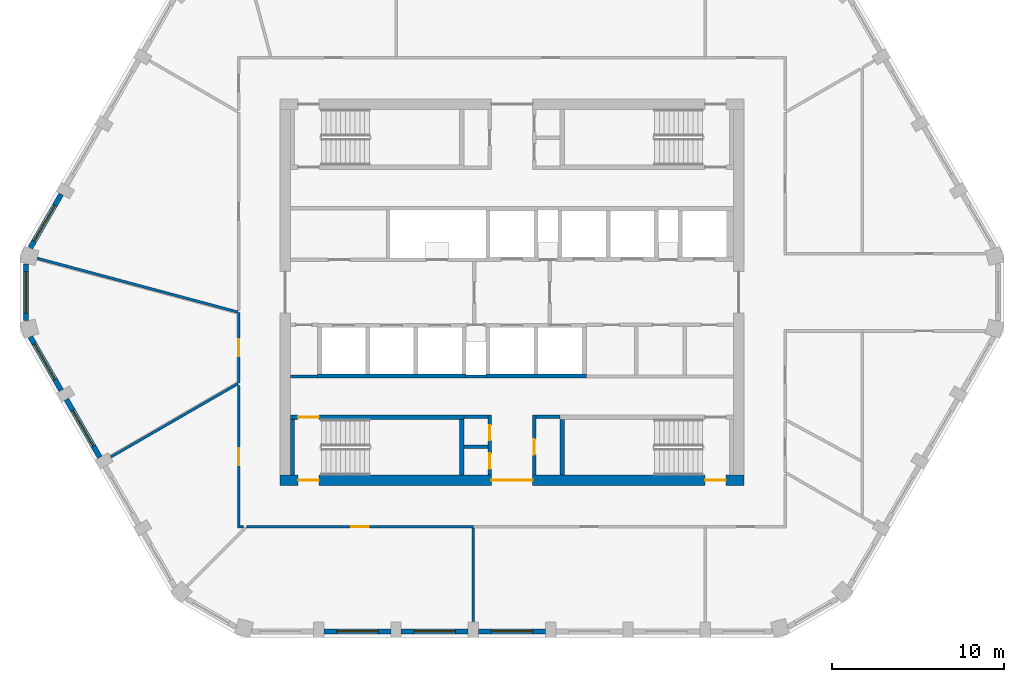
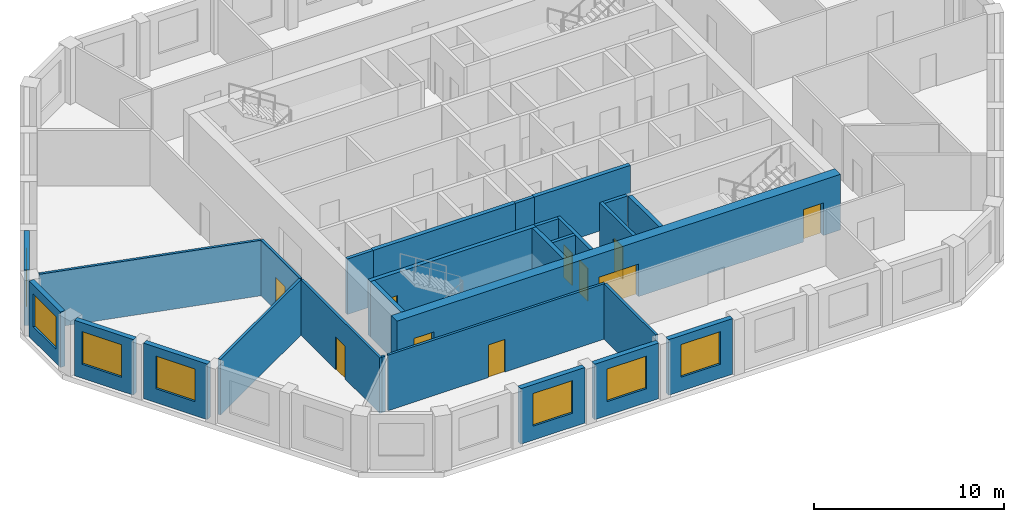
# One storey, part 2 of 9: 28 walls, 10 doors, 7 windows, 17 openings.
"""IFC4 building model written with IfcOpenShell, lengths in metres."""

from ifc_helpers import new_model, si_unit, direction, frame, frame_2d, origin, place, context, subcontext, project, spatial, polyline, rectangle, outline, extrude, material, layer, layer_set, type_object, element, fill, save


model = new_model("IFC4")

# Units and contexts
model_context = context("Model", 3, precision=1e-05, world=origin(), true_north=direction((0.0, 1.0)))
body_context = subcontext(model_context, "Body", "Model", "MODEL_VIEW")
ifc_project = project(units=[si_unit("LENGTHUNIT", "METRE"), si_unit("AREAUNIT", "SQUARE_METRE"), si_unit("VOLUMEUNIT", "CUBIC_METRE"), si_unit("PLANEANGLEUNIT", "RADIAN"), si_unit("MASSUNIT", "GRAM", prefix="KILO")], contexts=[model_context])

# Site, building, storey
site_placement = place(None, origin())
site = spatial("IfcSite", under=ifc_project, at=site_placement, CompositionType="ELEMENT")
building_placement = place(site_placement, origin())
building = spatial("IfcBuilding", under=site, at=building_placement, Name="Dhurran Vertical Campus", CompositionType="ELEMENT")
storey_placement = place(building_placement, frame((0.0, 0.0, 290.39990234375)))
storey = spatial("IfcBuildingStorey", under=building, at=storey_placement, Name="L72", CompositionType="ELEMENT", Elevation=290.39990234375)

# Wall, opening, window
ifc_material_1 = material(Name="Precast concrete C50/60", Category="concrete")
ifc_layer_1 = layer(ifc_material_1, 0.300048828125)
ifc_layer_set_1 = layer_set([ifc_layer_1], Name="Precast concrete C50/60")
wall_type_1 = type_object("IfcWallType", Name="Precast spandrel wall 300", PredefinedType="SOLIDWALL", material=ifc_layer_set_1)
wall_1_placement = place(storey_placement, frame((-10.949462890625, -19.738525390625, 0.0), z_axis=(0.0, 0.0, 1.0), x_axis=(1.0, 0.0, 0.0)))
wall_1 = element("IfcWall", 1, at=wall_1_placement, inside=storey, type_object=wall_type_1, Name="EW1 L72.01", PredefinedType="SOLIDWALL", context=body_context, shape_type="SweptSolid", body=[
    extrude(rectangle(XDim=3.89892578125, YDim=0.300048828125, at=frame_2d((1.949462890625, 0.0))), origin(), (0.0, 0.0, 1.0), 3.5751953125),
])
opening_1_placement = place(wall_1_placement, frame((0.74951171875, 0.0, 0.89990234375)))
opening_1 = element("IfcOpeningElement", 2, at=opening_1_placement, cuts=wall_1, Name="Opening WT1", PredefinedType="OPENING", context=body_context, shape_type="SweptSolid", body=[
    extrude(rectangle(XDim=2.39990234375, YDim=2.10009765625, at=frame_2d((1.199951171875, 1.050048828125))), frame((0.0, 0.159912109375, 0.0), z_axis=(0.0, -1.0, 0.0), x_axis=(1.0, 0.0, 0.0)), (0.0, 0.0, 1.0), 0.320068359375),
])
ifc_material_2 = material(Name="Aluminium frame with solar-control glass", Category="aluminium")
window_type = type_object("IfcWindowType", Name="Punched window 2400 x 2100", PartitioningType="SINGLE_PANEL", PredefinedType="WINDOW", material=ifc_material_2)
window_1_placement = place(opening_1_placement, origin())
window_1 = element("IfcWindow", 3, at=window_1_placement, inside=storey, type_object=window_type, Name="WT1 L72.01", OverallHeight=2.10009765625, OverallWidth=2.39990234375, PartitioningType="SINGLE_PANEL", PredefinedType="WINDOW", context=body_context, shape_type="SweptSolid", body=[
    extrude(rectangle(XDim=2.39990234375, YDim=2.10009765625, at=frame_2d((1.199951171875, 1.050048828125))), frame((0.0, 0.030029296875, 0.0), z_axis=(0.0, -1.0, 0.0), x_axis=(1.0, 0.0, 0.0)), (0.0, 0.0, 1.0), 0.06005859375),
])
fill(opening_1, window_1)

wall_2_placement = place(storey_placement, frame((-6.449462890625, -19.738525390625, 0.0), z_axis=(0.0, 0.0, 1.0), x_axis=(1.0, 0.0, 0.0)))
wall_2 = element("IfcWall", 4, at=wall_2_placement, inside=storey, type_object=wall_type_1, Name="EW1 L72.02", PredefinedType="SOLIDWALL", context=body_context, shape_type="SweptSolid", body=[
    extrude(rectangle(XDim=3.89892578125, YDim=0.300048828125, at=frame_2d((1.949462890625, 0.0))), origin(), (0.0, 0.0, 1.0), 3.5751953125),
])
opening_2_placement = place(wall_2_placement, frame((0.74951171875, 0.0, 0.89990234375)))
opening_2 = element("IfcOpeningElement", 5, at=opening_2_placement, cuts=wall_2, Name="Opening WT1", PredefinedType="OPENING", context=body_context, shape_type="SweptSolid", body=[
    extrude(rectangle(XDim=2.39990234375, YDim=2.10009765625, at=frame_2d((1.199951171875, 1.050048828125))), frame((0.0, 0.159912109375, 0.0), z_axis=(0.0, -1.0, 0.0), x_axis=(1.0, 0.0, 0.0)), (0.0, 0.0, 1.0), 0.320068359375),
])
window_2_placement = place(opening_2_placement, origin())
window_2 = element("IfcWindow", 6, at=window_2_placement, inside=storey, type_object=window_type, Name="WT1 L72.02", OverallHeight=2.10009765625, OverallWidth=2.39990234375, PartitioningType="SINGLE_PANEL", PredefinedType="WINDOW", context=body_context, shape_type="SweptSolid", body=[
    extrude(rectangle(XDim=2.39990234375, YDim=2.10009765625, at=frame_2d((1.199951171875, 1.050048828125))), frame((0.0, 0.030029296875, 0.0), z_axis=(0.0, -1.0, 0.0), x_axis=(1.0, 0.0, 0.0)), (0.0, 0.0, 1.0), 0.06005859375),
])
fill(opening_2, window_2)

wall_3_placement = place(storey_placement, frame((-1.949462890625, -19.738525390625, 0.0), z_axis=(0.0, 0.0, 1.0), x_axis=(1.0, 0.0, 0.0)))
wall_3 = element("IfcWall", 7, at=wall_3_placement, inside=storey, type_object=wall_type_1, Name="EW1 L72.03", PredefinedType="SOLIDWALL", context=body_context, shape_type="SweptSolid", body=[
    extrude(rectangle(XDim=3.89892578125, YDim=0.300048828125, at=frame_2d((1.949462890625, 0.0))), origin(), (0.0, 0.0, 1.0), 3.5751953125),
])
opening_3_placement = place(wall_3_placement, frame((0.74951171875, 0.0, 0.89990234375)))
opening_3 = element("IfcOpeningElement", 8, at=opening_3_placement, cuts=wall_3, Name="Opening WT1", PredefinedType="OPENING", context=body_context, shape_type="SweptSolid", body=[
    extrude(rectangle(XDim=2.39990234375, YDim=2.10009765625, at=frame_2d((1.199951171875, 1.050048828125))), frame((0.0, 0.159912109375, 0.0), z_axis=(0.0, -1.0, 0.0), x_axis=(1.0, 0.0, 0.0)), (0.0, 0.0, 1.0), 0.320068359375),
])
window_3_placement = place(opening_3_placement, origin())
window_3 = element("IfcWindow", 9, at=window_3_placement, inside=storey, type_object=window_type, Name="WT1 L72.03", OverallHeight=2.10009765625, OverallWidth=2.39990234375, PartitioningType="SINGLE_PANEL", PredefinedType="WINDOW", context=body_context, shape_type="SweptSolid", body=[
    extrude(rectangle(XDim=2.39990234375, YDim=2.10009765625, at=frame_2d((1.199951171875, 1.050048828125))), frame((0.0, 0.030029296875, 0.0), z_axis=(0.0, -1.0, 0.0), x_axis=(1.0, 0.0, 0.0)), (0.0, 0.0, 1.0), 0.06005859375),
])
fill(opening_3, window_3)

wall_4_placement = place(storey_placement, frame((-26.244384765625, 5.7119140625, 0.0), z_axis=(0.0, 0.0, 1.0), x_axis=(-0.499969057507, -0.866043267704, 0.0)))
wall_4 = element("IfcWall", 10, at=wall_4_placement, inside=storey, type_object=wall_type_1, Name="EW1 L72.29", PredefinedType="SOLIDWALL", context=body_context, shape_type="SweptSolid", body=[
    extrude(rectangle(XDim=3.599365234375, YDim=0.300048828125, at=frame_2d((1.7998046875, 0.0))), origin(), (0.0, 0.0, 1.0), 3.5751953125),
])
opening_4_placement = place(wall_4_placement, frame((0.74951171875, 0.0, 0.89990234375)))
opening_4 = element("IfcOpeningElement", 11, at=opening_4_placement, cuts=wall_4, Name="Opening WT1", PredefinedType="OPENING", context=body_context, shape_type="SweptSolid", body=[
    extrude(rectangle(XDim=2.39990234375, YDim=2.10009765625, at=frame_2d((1.199951171875, 1.050048828125))), frame((0.0, 0.159912109375, 0.0), z_axis=(0.0, -1.0, 0.0), x_axis=(1.0, 0.0, 0.0)), (0.0, 0.0, 1.0), 0.320068359375),
])
window_4_placement = place(opening_4_placement, origin())
window_4 = element("IfcWindow", 12, at=window_4_placement, inside=storey, type_object=window_type, Name="WT1 L72.29", OverallHeight=2.10009765625, OverallWidth=2.39990234375, PartitioningType="SINGLE_PANEL", PredefinedType="WINDOW", context=body_context, shape_type="SweptSolid", body=[
    extrude(rectangle(XDim=2.39990234375, YDim=2.10009765625, at=frame_2d((1.199951171875, 1.050048828125))), frame((0.0, 0.030029296875, 0.0), z_axis=(0.0, -1.0, 0.0), x_axis=(1.0, 0.0, 0.0)), (0.0, 0.0, 1.0), 0.06005859375),
])
fill(opening_4, window_4)

wall_5_placement = place(storey_placement, frame((-28.297119140625, 1.64990234375, 0.0), z_axis=(0.0, 0.0, 1.0), x_axis=(0.0, -1.0, 0.0)))
wall_5 = element("IfcWall", 13, at=wall_5_placement, inside=storey, type_object=wall_type_1, Name="EW1 L72.30", PredefinedType="SOLIDWALL", context=body_context, shape_type="SweptSolid", body=[
    extrude(rectangle(XDim=3.2998046875, YDim=0.300048828125, at=frame_2d((1.64990234375, 0.0))), origin(), (0.0, 0.0, 1.0), 3.5751953125),
])
opening_5_placement = place(wall_5_placement, frame((0.449951171875, 0.0, 0.89990234375)))
opening_5 = element("IfcOpeningElement", 14, at=opening_5_placement, cuts=wall_5, Name="Opening WT1", PredefinedType="OPENING", context=body_context, shape_type="SweptSolid", body=[
    extrude(rectangle(XDim=2.39990234375, YDim=2.10009765625, at=frame_2d((1.199951171875, 1.050048828125))), frame((0.0, 0.159912109375, 0.0), z_axis=(0.0, -1.0, 0.0), x_axis=(1.0, 0.0, 0.0)), (0.0, 0.0, 1.0), 0.320068359375),
])
window_5_placement = place(opening_5_placement, origin())
window_5 = element("IfcWindow", 15, at=window_5_placement, inside=storey, type_object=window_type, Name="WT1 L72.30", OverallHeight=2.10009765625, OverallWidth=2.39990234375, PartitioningType="SINGLE_PANEL", PredefinedType="WINDOW", context=body_context, shape_type="SweptSolid", body=[
    extrude(rectangle(XDim=2.39990234375, YDim=2.10009765625, at=frame_2d((1.199951171875, 1.050048828125))), frame((0.0, 0.030029296875, 0.0), z_axis=(0.0, -1.0, 0.0), x_axis=(1.0, 0.0, 0.0)), (0.0, 0.0, 1.0), 0.06005859375),
])
fill(opening_5, window_5)

wall_6_placement = place(storey_placement, frame((-28.0439453125, -2.5947265625, 0.0), z_axis=(0.0, 0.0, 1.0), x_axis=(0.499969057507, -0.866043267704, 0.0)))
wall_6 = element("IfcWall", 16, at=wall_6_placement, inside=storey, type_object=wall_type_1, Name="EW1 L72.31", PredefinedType="SOLIDWALL", context=body_context, shape_type="SweptSolid", body=[
    extrude(rectangle(XDim=3.599365234375, YDim=0.300048828125, at=frame_2d((1.7998046875, 0.0))), origin(), (0.0, 0.0, 1.0), 3.5751953125),
])
opening_6_placement = place(wall_6_placement, frame((0.449951171875, 0.0, 0.89990234375)))
opening_6 = element("IfcOpeningElement", 17, at=opening_6_placement, cuts=wall_6, Name="Opening WT1", PredefinedType="OPENING", context=body_context, shape_type="SweptSolid", body=[
    extrude(rectangle(XDim=2.39990234375, YDim=2.10009765625, at=frame_2d((1.199951171875, 1.050048828125))), frame((0.0, 0.159912109375, 0.0), z_axis=(0.0, -1.0, 0.0), x_axis=(1.0, 0.0, 0.0)), (0.0, 0.0, 1.0), 0.320068359375),
])
window_6_placement = place(opening_6_placement, origin())
window_6 = element("IfcWindow", 18, at=window_6_placement, inside=storey, type_object=window_type, Name="WT1 L72.31", OverallHeight=2.10009765625, OverallWidth=2.39990234375, PartitioningType="SINGLE_PANEL", PredefinedType="WINDOW", context=body_context, shape_type="SweptSolid", body=[
    extrude(rectangle(XDim=2.39990234375, YDim=2.10009765625, at=frame_2d((1.199951171875, 1.050048828125))), frame((0.0, 0.030029296875, 0.0), z_axis=(0.0, -1.0, 0.0), x_axis=(1.0, 0.0, 0.0)), (0.0, 0.0, 1.0), 0.06005859375),
])
fill(opening_6, window_6)

wall_7_placement = place(storey_placement, frame((-25.94384765625, -6.232421875, 0.0), z_axis=(0.0, 0.0, 1.0), x_axis=(0.500011542666, -0.866018739521, 0.0)))
wall_7 = element("IfcWall", 19, at=wall_7_placement, inside=storey, type_object=wall_type_1, Name="EW1 L72.32", PredefinedType="SOLIDWALL", context=body_context, shape_type="SweptSolid", body=[
    extrude(rectangle(XDim=3.89892578125, YDim=0.300048828125, at=frame_2d((1.949462890625, 0.0))), origin(), (0.0, 0.0, 1.0), 3.5751953125),
])
opening_7_placement = place(wall_7_placement, frame((0.74951171875, 0.0, 0.89990234375)))
opening_7 = element("IfcOpeningElement", 20, at=opening_7_placement, cuts=wall_7, Name="Opening WT1", PredefinedType="OPENING", context=body_context, shape_type="SweptSolid", body=[
    extrude(rectangle(XDim=2.39990234375, YDim=2.10009765625, at=frame_2d((1.199951171875, 1.050048828125))), frame((0.0, 0.159912109375, 0.0), z_axis=(0.0, -1.0, 0.0), x_axis=(1.0, 0.0, 0.0)), (0.0, 0.0, 1.0), 0.320068359375),
])
window_7_placement = place(opening_7_placement, origin())
window_7 = element("IfcWindow", 21, at=window_7_placement, inside=storey, type_object=window_type, Name="WT1 L72.32", OverallHeight=2.10009765625, OverallWidth=2.39990234375, PartitioningType="SINGLE_PANEL", PredefinedType="WINDOW", context=body_context, shape_type="SweptSolid", body=[
    extrude(rectangle(XDim=2.39990234375, YDim=2.10009765625, at=frame_2d((1.199951171875, 1.050048828125))), frame((0.0, 0.030029296875, 0.0), z_axis=(0.0, -1.0, 0.0), x_axis=(1.0, 0.0, 0.0)), (0.0, 0.0, 1.0), 0.06005859375),
])
fill(opening_7, window_7)

# Wall, openings, doors
ifc_material_3 = material(Name="Concrete C50/60", Category="concrete")
ifc_layer_2 = layer(ifc_material_3, 0.60009765625)
ifc_layer_set_2 = layer_set([ifc_layer_2], Name="Concrete C50/60")
wall_type_2 = type_object("IfcWallType", Name="co-CORE-WALL-C2-600", PredefinedType="SHEAR", material=ifc_layer_set_2)
wall_8_placement = place(storey_placement, frame((-13.5, -10.949951171875, 0.0), z_axis=(0.0, 0.0, 1.0), x_axis=(1.0, 0.0, 0.0)))
wall_8 = element("IfcWall", 22, at=wall_8_placement, inside=storey, type_object=wall_type_2, Name="Core wall S L72", PredefinedType="SHEAR", context=body_context, shape_type="SweptSolid", body=[
    extrude(rectangle(XDim=27.0, YDim=0.60009765625, at=frame_2d((13.5, 0.0))), origin(), (0.0, 0.0, 1.0), 3.5751953125),
])
opening_8_placement = place(wall_8_placement, frame((12.300048828125, 0.0, 0.0)))
opening_8 = element("IfcOpeningElement", 23, at=opening_8_placement, cuts=wall_8, Name="Opening CV2", PredefinedType="OPENING", context=body_context, shape_type="SweptSolid", body=[
    extrude(rectangle(XDim=2.39990234375, YDim=2.10009765625, at=frame_2d((1.199951171875, 1.050048828125))), frame((0.0, 0.31005859375, 0.0), z_axis=(0.0, -1.0, 0.0), x_axis=(1.0, 0.0, 0.0)), (0.0, 0.0, 1.0), 0.6201171875),
])
opening_9_placement = place(wall_8_placement, frame((1.050048828125, 0.0, 0.0)))
opening_9 = element("IfcOpeningElement", 24, at=opening_9_placement, cuts=wall_8, Name="Opening XD3", PredefinedType="OPENING", context=body_context, shape_type="SweptSolid", body=[
    extrude(rectangle(XDim=1.199951171875, YDim=2.10009765625, at=frame_2d((0.60009765625, 1.050048828125))), frame((0.0, 0.31005859375, 0.0), z_axis=(0.0, -1.0, 0.0), x_axis=(1.0, 0.0, 0.0)), (0.0, 0.0, 1.0), 0.6201171875),
])
opening_10_placement = place(wall_8_placement, frame((24.75, 0.0, 0.0)))
opening_10 = element("IfcOpeningElement", 25, at=opening_10_placement, cuts=wall_8, Name="Opening XD4", PredefinedType="OPENING", context=body_context, shape_type="SweptSolid", body=[
    extrude(rectangle(XDim=1.199951171875, YDim=2.10009765625, at=frame_2d((0.60009765625, 1.050048828125))), frame((0.0, 0.31005859375, 0.0), z_axis=(0.0, -1.0, 0.0), x_axis=(1.0, 0.0, 0.0)), (0.0, 0.0, 1.0), 0.6201171875),
])
ifc_material_4 = material(Name="Fire-rated glazed door set")
door_type_1 = type_object("IfcDoorType", Name="co-D-LOBBY 2400x2100", OperationType="DOUBLE_DOOR_DOUBLE_SWING", PredefinedType="DOOR", material=ifc_material_4)
door_1_placement = place(opening_8_placement, origin())
door_1 = element("IfcDoor", 26, at=door_1_placement, inside=storey, type_object=door_type_1, Name="Core vestibule door S L72", OperationType="DOUBLE_DOOR_DOUBLE_SWING", OverallHeight=2.10009765625, OverallWidth=2.39990234375, PredefinedType="DOOR", context=body_context, shape_type="SweptSolid", body=[
    extrude(rectangle(XDim=2.39990234375, YDim=2.10009765625, at=frame_2d((1.199951171875, 1.050048828125))), frame((0.0, 0.02490234375, 0.0), z_axis=(0.0, -1.0, 0.0), x_axis=(1.0, 0.0, 0.0)), (0.0, 0.0, 1.0), 0.050048828125),
])
fill(opening_8, door_1)
ifc_material_5 = material(Name="Fire-rated steel door set", Category="steel")
door_type_2 = type_object("IfcDoorType", Name="co-D-STAIR-EXIT 1200x2100", OperationType="SINGLE_SWING_RIGHT", PredefinedType="DOOR", material=ifc_material_5)
door_2_placement = place(opening_9_placement, origin())
door_2 = element("IfcDoor", 27, at=door_2_placement, inside=storey, type_object=door_type_2, Name="Stair ST3 exit door L72", OperationType="SINGLE_SWING_RIGHT", OverallHeight=2.10009765625, OverallWidth=1.199951171875, PredefinedType="DOOR", context=body_context, shape_type="SweptSolid", body=[
    extrude(rectangle(XDim=1.199951171875, YDim=2.10009765625, at=frame_2d((0.60009765625, 1.050048828125))), frame((0.0, 0.02490234375, 0.0), z_axis=(0.0, -1.0, 0.0), x_axis=(1.0, 0.0, 0.0)), (0.0, 0.0, 1.0), 0.050048828125),
])
fill(opening_9, door_2)
door_3_placement = place(opening_10_placement, origin())
door_3 = element("IfcDoor", 28, at=door_3_placement, inside=storey, type_object=door_type_2, Name="Stair ST4 exit door L72", OperationType="SINGLE_SWING_RIGHT", OverallHeight=2.10009765625, OverallWidth=1.199951171875, PredefinedType="DOOR", context=body_context, shape_type="SweptSolid", body=[
    extrude(rectangle(XDim=1.199951171875, YDim=2.10009765625, at=frame_2d((0.60009765625, 1.050048828125))), frame((0.0, 0.02490234375, 0.0), z_axis=(0.0, -1.0, 0.0), x_axis=(1.0, 0.0, 0.0)), (0.0, 0.0, 1.0), 0.050048828125),
])
fill(opening_10, door_3)

# Walls
ifc_material_6 = material(Name="Fire-rated masonry blockwork", Category="masonry")
ifc_layer_3 = layer(ifc_material_6, 0.199951171875)
ifc_layer_set_3 = layer_set([ifc_layer_3], Name="Fire-rated masonry blockwork")
wall_type_3 = type_object("IfcWallType", Name="co-FIRE-PARTITION-200", PredefinedType="PARTITIONING", material=ifc_layer_set_3)
for number, where, z_axis, x_axis, name in (
    (29, (-2.800048828125, -7.25, 0.0), (0.0, 0.0, 1.0), (1.0, 0.0, 0.0), "Core partition sl-SW-S L72"),
    (30, (-2.800048828125, -9.0, 0.0), (0.0, 0.0, 1.0), (1.0, 0.0, 0.0), "Core partition sl-SW-cut0 L72"),
    (31, (1.39990234375, -7.25, 0.0), (0.0, 0.0, 1.0), (1.0, 0.0, 0.0), "Core partition sl-SE-S L72"),
):
    element("IfcWall", number, at=place(storey_placement, frame(where, z_axis=z_axis, x_axis=x_axis)), inside=storey, type_object=wall_type_3, Name=name, PredefinedType="PARTITIONING", context=body_context, shape_type="SweptSolid", body=[
        extrude(rectangle(XDim=1.400146484375, YDim=0.199951171875, at=frame_2d((0.7001953125, 0.0))), origin(), (0.0, 0.0, 1.0), 3.5751953125),
    ])

# Wall, openings, doors
wall_9_placement = place(storey_placement, frame((-1.300048828125, -10.64990234375, 0.0), z_axis=(0.0, 0.0, 1.0), x_axis=(0.0, 1.0, 0.0)))
wall_9 = element("IfcWall", 32, at=wall_9_placement, inside=storey, type_object=wall_type_3, Name="Core partition vest-SW L72", PredefinedType="PARTITIONING", context=body_context, shape_type="SweptSolid", body=[
    extrude(rectangle(XDim=3.5, YDim=0.199951171875, at=frame_2d((1.75, 0.0))), origin(), (0.0, 0.0, 1.0), 3.5751953125),
])
opening_11_placement = place(wall_9_placement, frame((0.375, 0.0, 0.0)))
opening_11 = element("IfcOpeningElement", 33, at=opening_11_placement, cuts=wall_9, Name="Opening T21-C1", PredefinedType="OPENING", context=body_context, shape_type="SweptSolid", body=[
    extrude(rectangle(XDim=0.89990234375, YDim=2.10009765625, at=frame_2d((0.449951171875, 1.050048828125))), frame((0.0, 0.10986328125, 0.0), z_axis=(0.0, -1.0, 0.0), x_axis=(1.0, 0.0, 0.0)), (0.0, 0.0, 1.0), 0.219970703125),
])
opening_12_placement = place(wall_9_placement, frame((2.02490234375, 0.0, 0.0)))
opening_12 = element("IfcOpeningElement", 34, at=opening_12_placement, cuts=wall_9, Name="Opening T21-C2", PredefinedType="OPENING", context=body_context, shape_type="SweptSolid", body=[
    extrude(rectangle(XDim=0.89990234375, YDim=2.10009765625, at=frame_2d((0.449951171875, 1.050048828125))), frame((0.0, 0.10986328125, 0.0), z_axis=(0.0, -1.0, 0.0), x_axis=(1.0, 0.0, 0.0)), (0.0, 0.0, 1.0), 0.219970703125),
])
ifc_material_7 = material(Name="Fire-rated timber door set", Category="wood")
door_type_3 = type_object("IfcDoorType", Name="co-D-ROOM 900x2100", OperationType="SINGLE_SWING_LEFT", PredefinedType="DOOR", material=ifc_material_7)
door_4_placement = place(opening_11_placement, origin())
door_4 = element("IfcDoor", 35, at=door_4_placement, inside=storey, type_object=door_type_3, Name="Waste room door L72", OperationType="SINGLE_SWING_LEFT", OverallHeight=2.10009765625, OverallWidth=0.89990234375, PredefinedType="DOOR", context=body_context, shape_type="SweptSolid", body=[
    extrude(rectangle(XDim=0.89990234375, YDim=2.10009765625, at=frame_2d((0.449951171875, 1.050048828125))), frame((0.0, 0.02490234375, 0.0), z_axis=(0.0, -1.0, 0.0), x_axis=(1.0, 0.0, 0.0)), (0.0, 0.0, 1.0), 0.050048828125),
])
fill(opening_11, door_4)
door_5_placement = place(opening_12_placement, origin())
door_5 = element("IfcDoor", 36, at=door_5_placement, inside=storey, type_object=door_type_3, Name="Pantry door L72", OperationType="SINGLE_SWING_LEFT", OverallHeight=2.10009765625, OverallWidth=0.89990234375, PredefinedType="DOOR", context=body_context, shape_type="SweptSolid", body=[
    extrude(rectangle(XDim=0.89990234375, YDim=2.10009765625, at=frame_2d((0.449951171875, 1.050048828125))), frame((0.0, 0.02490234375, 0.0), z_axis=(0.0, -1.0, 0.0), x_axis=(1.0, 0.0, 0.0)), (0.0, 0.0, 1.0), 0.050048828125),
])
fill(opening_12, door_5)

# Wall, opening, door
wall_10_placement = place(storey_placement, frame((1.300048828125, -10.64990234375, 0.0), z_axis=(0.0, 0.0, 1.0), x_axis=(0.0, 1.0, 0.0)))
wall_10 = element("IfcWall", 37, at=wall_10_placement, inside=storey, type_object=wall_type_3, Name="Core partition vest-SE L72", PredefinedType="PARTITIONING", context=body_context, shape_type="SweptSolid", body=[
    extrude(rectangle(XDim=3.5, YDim=0.199951171875, at=frame_2d((1.75, 0.0))), origin(), (0.0, 0.0, 1.0), 3.5751953125),
])
opening_13_placement = place(wall_10_placement, frame((1.199951171875, 0.0, 0.0)))
opening_13 = element("IfcOpeningElement", 38, at=opening_13_placement, cuts=wall_10, Name="Opening T21-C3", PredefinedType="OPENING", context=body_context, shape_type="SweptSolid", body=[
    extrude(rectangle(XDim=0.89990234375, YDim=2.10009765625, at=frame_2d((0.449951171875, 1.050048828125))), frame((0.0, 0.10986328125, 0.0), z_axis=(0.0, -1.0, 0.0), x_axis=(1.0, 0.0, 0.0)), (0.0, 0.0, 1.0), 0.219970703125),
])
door_6_placement = place(opening_13_placement, origin())
door_6 = element("IfcDoor", 39, at=door_6_placement, inside=storey, type_object=door_type_3, Name="Cleaner's store door L72", OperationType="SINGLE_SWING_LEFT", OverallHeight=2.10009765625, OverallWidth=0.89990234375, PredefinedType="DOOR", context=body_context, shape_type="SweptSolid", body=[
    extrude(rectangle(XDim=0.89990234375, YDim=2.10009765625, at=frame_2d((0.449951171875, 1.050048828125))), frame((0.0, 0.02490234375, 0.0), z_axis=(0.0, -1.0, 0.0), x_axis=(1.0, 0.0, 0.0)), (0.0, 0.0, 1.0), 0.050048828125),
])
fill(opening_13, door_6)

# Walls
wall_11_placement = place(storey_placement, frame((-12.89990234375, -4.89990234375, 0.0), z_axis=(0.0, 0.0, 1.0), x_axis=(1.0, 0.0, 0.0)))
element("IfcWall", 40, at=wall_11_placement, inside=storey, type_object=wall_type_3, Name="Core partition fr-S0-b L72", PredefinedType="PARTITIONING", context=body_context, shape_type="SweptSolid", body=[
    extrude(rectangle(XDim=1.574951171875, YDim=0.199951171875, at=frame_2d((0.78759765625, 0.0))), origin(), (0.0, 0.0, 1.0), 3.5751953125),
])
wall_12_placement = place(storey_placement, frame((-2.675048828125, -4.89990234375, 0.0), z_axis=(0.0, 0.0, 1.0), x_axis=(1.0, 0.0, 0.0)))
element("IfcWall", 41, at=wall_12_placement, inside=storey, type_object=wall_type_3, Name="Core partition fr-S1-b L72", PredefinedType="PARTITIONING", context=body_context, shape_type="SweptSolid", body=[
    extrude(rectangle(XDim=1.150146484375, YDim=0.199951171875, at=frame_2d((0.5751953125, 0.0))), origin(), (0.0, 0.0, 1.0), 3.5751953125),
])
ifc_material_8 = material(Name="Concrete C50/60", Category="concrete")
ifc_layer_4 = layer(ifc_material_8, 0.25)
ifc_layer_set_4 = layer_set([ifc_layer_4], Name="Concrete C50/60")
wall_type_4 = type_object("IfcWallType", Name="co-SHAFT-MASS-250", PredefinedType="SHEAR", material=ifc_layer_set_4)
wall_13_placement = place(storey_placement, origin())
element("IfcWall", 42, at=wall_13_placement, inside=storey, type_object=wall_type_4, Name="Lift shaft wall S L72 1", PredefinedType="SHEAR", context=body_context, shape_type="SweptSolid", body=[
    extrude(outline(polyline([(-11.324951171875, -5.0), (-2.675048828125, -5.0), (-2.675048828125, -4.75), (-11.324951171875, -4.75), (-11.324951171875, -5.0)])), origin(), (0.0, 0.0, 1.0), 3.5751953125),
])
wall_14_placement = place(storey_placement, origin())
element("IfcWall", 43, at=wall_14_placement, inside=storey, type_object=wall_type_4, Name="Lift shaft wall S L72 2", PredefinedType="SHEAR", context=body_context, shape_type="SweptSolid", body=[
    extrude(outline(polyline([(-1.52490234375, -5.0), (4.324951171875, -5.0), (4.324951171875, -4.75), (-1.52490234375, -4.75), (-1.52490234375, -5.0)])), origin(), (0.0, 0.0, 1.0), 3.5751953125),
])

# Wall, opening, door
ifc_material_9 = material(Name="Concrete C40/50", Category="concrete")
ifc_layer_5 = layer(ifc_material_9, 0.25)
ifc_layer_set_5 = layer_set([ifc_layer_5], Name="Concrete C40/50")
wall_type_5 = type_object("IfcWallType", Name="co-STAIR-WALL-250", PredefinedType="SHEAR", material=ifc_layer_set_5)
wall_15_placement = place(storey_placement, frame((-12.89990234375, -7.27490234375, 0.0), z_axis=(0.0, 0.0, 1.0), x_axis=(1.0, 0.0, 0.0)))
wall_15 = element("IfcWall", 44, at=wall_15_placement, inside=storey, type_object=wall_type_5, Name="Stair ST3 enclosure wall L72", PredefinedType="SHEAR", context=body_context, shape_type="SweptSolid", body=[
    extrude(rectangle(XDim=10.099853515625, YDim=0.25, at=frame_2d((5.0498046875, 0.0))), origin(), (0.0, 0.0, 1.0), 3.5751953125),
])
opening_14_placement = place(wall_15_placement, frame((0.449951171875, 0.0, 0.0)))
opening_14 = element("IfcOpeningElement", 45, at=opening_14_placement, cuts=wall_15, Name="Opening SD3", PredefinedType="OPENING", context=body_context, shape_type="SweptSolid", body=[
    extrude(rectangle(XDim=1.199951171875, YDim=2.10009765625, at=frame_2d((0.60009765625, 1.050048828125))), frame((0.0, 0.135009765625, 0.0), z_axis=(0.0, -1.0, 0.0), x_axis=(1.0, 0.0, 0.0)), (0.0, 0.0, 1.0), 0.27001953125),
])
ifc_material_10 = material(Name="Fire-rated steel door set", Category="steel")
door_type_4 = type_object("IfcDoorType", Name="co-D-STAIR 1200x2100", OperationType="SINGLE_SWING_LEFT", PredefinedType="DOOR", material=ifc_material_10)
door_7_placement = place(opening_14_placement, origin())
door_7 = element("IfcDoor", 46, at=door_7_placement, inside=storey, type_object=door_type_4, Name="Stair ST3 door L72", OperationType="SINGLE_SWING_LEFT", OverallHeight=2.10009765625, OverallWidth=1.199951171875, PredefinedType="DOOR", context=body_context, shape_type="SweptSolid", body=[
    extrude(rectangle(XDim=1.199951171875, YDim=2.10009765625, at=frame_2d((0.60009765625, 1.050048828125))), frame((0.0, 0.02490234375, 0.0), z_axis=(0.0, -1.0, 0.0), x_axis=(1.0, 0.0, 0.0)), (0.0, 0.0, 1.0), 0.050048828125),
])
fill(opening_14, door_7)

# Walls
for number, where, z_axis, x_axis, name in (
    (47, (-12.77490234375, -10.64990234375, 0.0), (0.0, 0.0, 1.0), (0.0, 1.0, 0.0), "Stair ST3 enclosure wall L72"),
    (48, (-2.925048828125, -10.64990234375, 0.0), (0.0, 0.0, 1.0), (0.0, 1.0, 0.0), "Stair ST3 enclosure wall L72"),
    (49, (2.925048828125, -10.64990234375, 0.0), (0.0, 0.0, 1.0), (0.0, 1.0, 0.0), "Stair ST4 enclosure wall L72"),
):
    element("IfcWall", number, at=place(storey_placement, frame(where, z_axis=z_axis, x_axis=x_axis)), inside=storey, type_object=wall_type_5, Name=name, PredefinedType="SHEAR", context=body_context, shape_type="SweptSolid", body=[
        extrude(rectangle(XDim=3.25, YDim=0.25, at=frame_2d((1.625, 0.0))), origin(), (0.0, 0.0, 1.0), 3.5751953125),
    ])

# Wall, opening, door
ifc_material_11 = material(Name="Gypsum board corridor wall on steel studs", Category="steel")
ifc_layer_6 = layer(ifc_material_11, 0.14990234375)
ifc_layer_set_6 = layer_set([ifc_layer_6], Name="Gypsum board corridor wall on steel studs")
wall_type_6 = type_object("IfcWallType", Name="fl-CW-150 corridor wall", PredefinedType="PARTITIONING", material=ifc_layer_set_6)
wall_16_placement = place(storey_placement, frame((-15.89990234375, -5.4130859375, 0.0), z_axis=(0.0, 0.0, 1.0), x_axis=(0.0, -1.0, 0.0)))
wall_16 = element("IfcWall", 50, at=wall_16_placement, inside=storey, type_object=wall_type_6, Name="Partition 72-05", PredefinedType="PARTITIONING", context=body_context, shape_type="SweptSolid", body=[
    extrude(rectangle(XDim=8.31201171875, YDim=0.14990234375, at=frame_2d((4.156005859375, 0.0))), origin(), (0.0, 0.0, 1.0), 3.5751953125),
])
opening_15_placement = place(wall_16_placement, frame((3.656005859375, 0.0, 0.0)))
opening_15 = element("IfcOpeningElement", 51, at=opening_15_placement, cuts=wall_16, Name="Opening T21.03", PredefinedType="OPENING", context=body_context, shape_type="SweptSolid", body=[
    extrude(rectangle(XDim=1.0, YDim=2.10009765625, at=frame_2d((0.5, 1.050048828125))), frame((0.0, 0.0849609375, 0.0), z_axis=(0.0, -1.0, 0.0), x_axis=(1.0, 0.0, 0.0)), (0.0, 0.0, 1.0), 0.169921875),
])
ifc_material_12 = material(Name="Solid-core timber door set, fire-rated", Category="wood")
door_type_5 = type_object("IfcDoorType", Name="fl-D-1000x2100", OperationType="SINGLE_SWING_LEFT", PredefinedType="DOOR", material=ifc_material_12)
door_8_placement = place(opening_15_placement, origin())
door_8 = element("IfcDoor", 52, at=door_8_placement, inside=storey, type_object=door_type_5, Name="Door 72.03", OperationType="SINGLE_SWING_RIGHT", OverallHeight=2.10009765625, OverallWidth=1.0, PredefinedType="DOOR", context=body_context, shape_type="SweptSolid", body=[
    extrude(rectangle(XDim=1.0, YDim=2.10009765625, at=frame_2d((0.5, 1.050048828125))), frame((0.0, 0.02490234375, 0.0), z_axis=(0.0, -1.0, 0.0), x_axis=(1.0, 0.0, 0.0)), (0.0, 0.0, 1.0), 0.050048828125),
])
fill(opening_15, door_8)

# Wall
wall_17_placement = place(storey_placement, frame((-15.824951171875, -13.64990234375, 0.0), z_axis=(0.0, 0.0, 1.0), x_axis=(1.0, 0.0, 0.0)))
element("IfcWall", 53, at=wall_17_placement, inside=storey, type_object=wall_type_6, Name="Partition 72-06", PredefinedType="PARTITIONING", context=body_context, shape_type="SweptSolid", body=[
    extrude(rectangle(XDim=0.19091796875, YDim=0.14990234375, at=frame_2d((0.095458984375, 0.0))), origin(), (0.0, 0.0, 1.0), 3.5751953125),
])

# Wall, opening, door
wall_18_placement = place(storey_placement, frame((-15.89990234375, -1.166015625, 0.0), z_axis=(0.0, 0.0, 1.0), x_axis=(0.0, -1.0, 0.0)))
wall_18 = element("IfcWall", 54, at=wall_18_placement, inside=storey, type_object=wall_type_6, Name="Partition 72-07", PredefinedType="PARTITIONING", context=body_context, shape_type="SweptSolid", body=[
    extrude(rectangle(XDim=4.116943359375, YDim=0.14990234375, at=frame_2d((2.05859375, 0.0))), origin(), (0.0, 0.0, 1.0), 3.5751953125),
])
opening_16_placement = place(wall_18_placement, frame((1.55859375, 0.0, 0.0)))
opening_16 = element("IfcOpeningElement", 55, at=opening_16_placement, cuts=wall_18, Name="Opening T21.01", PredefinedType="OPENING", context=body_context, shape_type="SweptSolid", body=[
    extrude(rectangle(XDim=1.0, YDim=2.10009765625, at=frame_2d((0.5, 1.050048828125))), frame((0.0, 0.0849609375, 0.0), z_axis=(0.0, -1.0, 0.0), x_axis=(1.0, 0.0, 0.0)), (0.0, 0.0, 1.0), 0.169921875),
])
door_9_placement = place(opening_16_placement, origin())
door_9 = element("IfcDoor", 56, at=door_9_placement, inside=storey, type_object=door_type_5, Name="Door 72.01", OperationType="SINGLE_SWING_LEFT", OverallHeight=2.10009765625, OverallWidth=1.0, PredefinedType="DOOR", context=body_context, shape_type="SweptSolid", body=[
    extrude(rectangle(XDim=1.0, YDim=2.10009765625, at=frame_2d((0.5, 1.050048828125))), frame((0.0, 0.02490234375, 0.0), z_axis=(0.0, -1.0, 0.0), x_axis=(1.0, 0.0, 0.0)), (0.0, 0.0, 1.0), 0.050048828125),
])
fill(opening_16, door_9)

wall_19_placement = place(storey_placement, frame((-15.458984375, -13.64990234375, 0.0), z_axis=(0.0, 0.0, 1.0), x_axis=(1.0, 0.0, 0.0)))
wall_19 = element("IfcWall", 57, at=wall_19_placement, inside=storey, type_object=wall_type_6, Name="Partition 72-12", PredefinedType="PARTITIONING", context=body_context, shape_type="SweptSolid", body=[
    extrude(rectangle(XDim=13.208984375, YDim=0.14990234375, at=frame_2d((6.6044921875, 0.0))), origin(), (0.0, 0.0, 1.0), 3.5751953125),
])
opening_17_placement = place(wall_19_placement, frame((6.1044921875, 0.0, 0.0)))
opening_17 = element("IfcOpeningElement", 58, at=opening_17_placement, cuts=wall_19, Name="Opening T21.06", PredefinedType="OPENING", context=body_context, shape_type="SweptSolid", body=[
    extrude(rectangle(XDim=1.0, YDim=2.10009765625, at=frame_2d((0.5, 1.050048828125))), frame((0.0, 0.0849609375, 0.0), z_axis=(0.0, -1.0, 0.0), x_axis=(1.0, 0.0, 0.0)), (0.0, 0.0, 1.0), 0.169921875),
])
door_10_placement = place(opening_17_placement, origin())
door_10 = element("IfcDoor", 59, at=door_10_placement, inside=storey, type_object=door_type_5, Name="Door 72.06", OperationType="SINGLE_SWING_LEFT", OverallHeight=2.10009765625, OverallWidth=1.0, PredefinedType="DOOR", context=body_context, shape_type="SweptSolid", body=[
    extrude(rectangle(XDim=1.0, YDim=2.10009765625, at=frame_2d((0.5, 1.050048828125))), frame((0.0, 0.02490234375, 0.0), z_axis=(0.0, -1.0, 0.0), x_axis=(1.0, 0.0, 0.0)), (0.0, 0.0, 1.0), 0.050048828125),
])
fill(opening_17, door_10)

# Walls
ifc_material_13 = material(Name="Gypsum board partition on steel studs", Category="steel")
ifc_layer_7 = layer(ifc_material_13, 0.14990234375)
ifc_layer_set_7 = layer_set([ifc_layer_7], Name="Gypsum board partition on steel studs")
wall_type_7 = type_object("IfcWallType", Name="fl-PW-150 fixed partition", PredefinedType="PARTITIONING", material=ifc_layer_set_7)
wall_20_placement = place(storey_placement, frame((-27.641845703125, 1.98095703125, 0.0), z_axis=(0.0, 0.0, 1.0), x_axis=(0.965912869078, -0.258867397232, 0.0)))
element("IfcWall", 60, at=wall_20_placement, inside=storey, type_object=wall_type_7, Name="Partition 72-01", PredefinedType="PARTITIONING", context=body_context, shape_type="SweptSolid", body=[
    extrude(rectangle(XDim=12.081298828125, YDim=0.14990234375, at=frame_2d((6.04052734375, 0.0))), origin(), (0.0, 0.0, 1.0), 3.5751953125),
])
wall_21_placement = place(storey_placement, frame((-15.965087890625, -5.320556640625, 0.0), z_axis=(0.0, 0.0, 1.0), x_axis=(-0.866035886898, -0.499981842274, 0.0)))
element("IfcWall", 61, at=wall_21_placement, inside=storey, type_object=wall_type_7, Name="Partition 72-02", PredefinedType="PARTITIONING", context=body_context, shape_type="SweptSolid", body=[
    extrude(rectangle(XDim=8.527587890625, YDim=0.14990234375, at=frame_2d((4.263671875, 0.0))), origin(), (0.0, 0.0, 1.0), 3.5751953125),
])
wall_22_placement = place(storey_placement, frame((-2.25, -13.72509765625, 0.0), z_axis=(0.0, 0.0, 1.0), x_axis=(0.0, -1.0, 0.0)))
element("IfcWall", 62, at=wall_22_placement, inside=storey, type_object=wall_type_7, Name="Partition 72-16", PredefinedType="PARTITIONING", context=body_context, shape_type="SweptSolid", body=[
    extrude(rectangle(XDim=5.443359375, YDim=0.14990234375, at=frame_2d((2.7216796875, 0.0))), origin(), (0.0, 0.0, 1.0), 3.5751953125),
])

save(model, "model.ifc")
